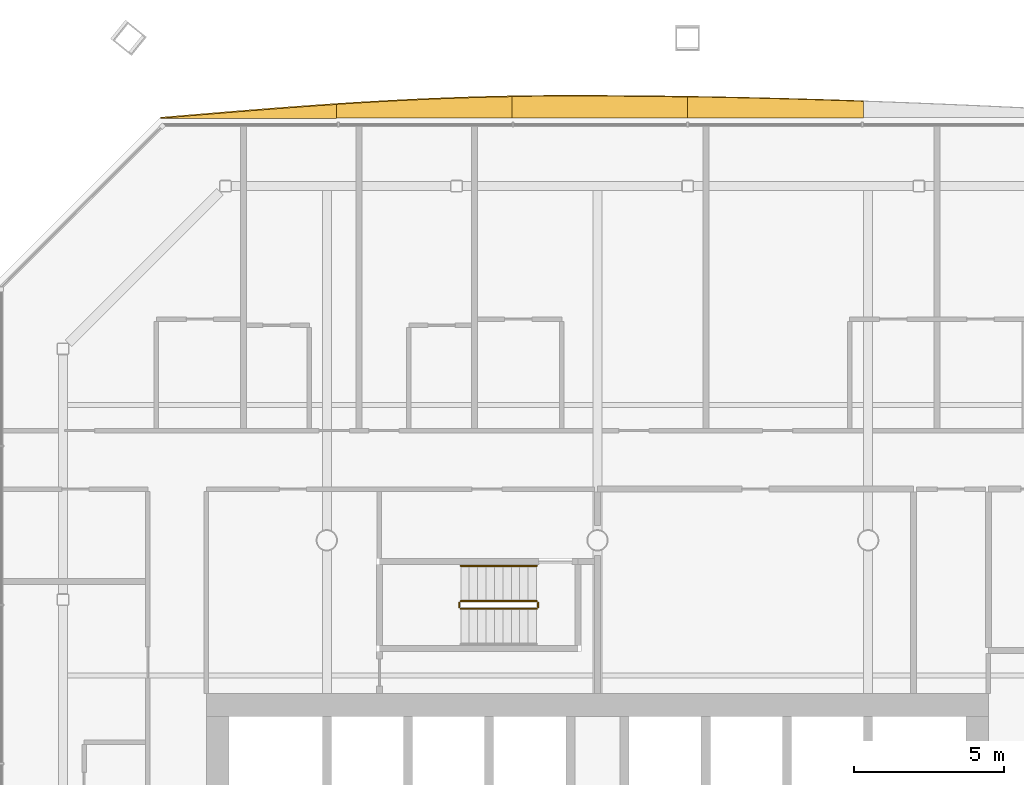
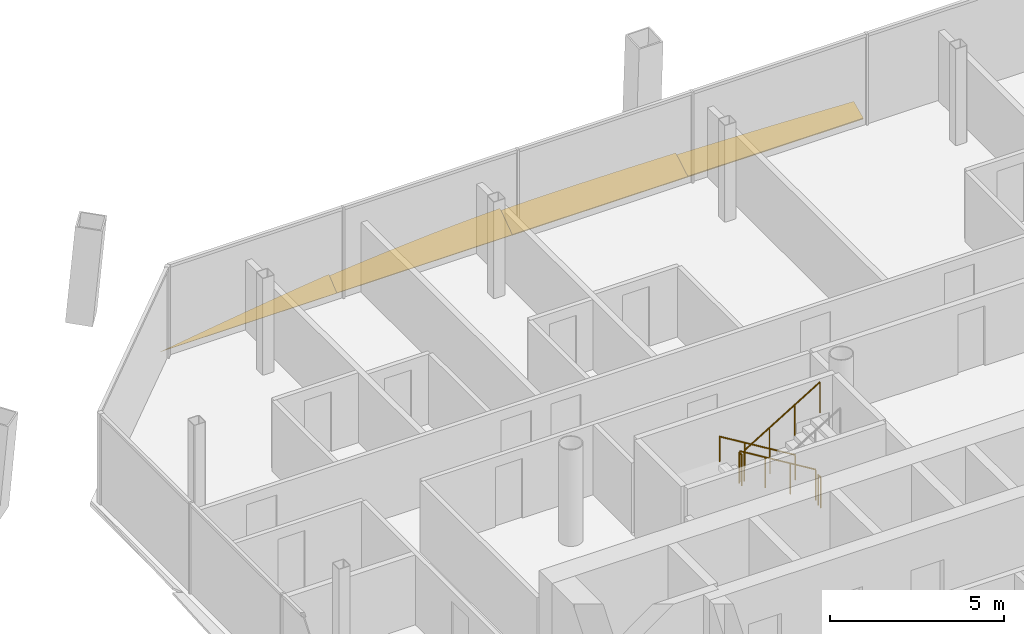
# One storey, part 20 of 21: 5 railings, 4 shading devices.
"""IFC4 building model written with IfcOpenShell, lengths in metres."""

import ifcopenshell
import ifcopenshell.guid

model = None  # the IFC model being written
_history = None  # IfcOwnerHistory: only IFC2X3 demands one
_inside = {}  # id of a spatial element -> (the spatial element, [elements in it])
_under = {}  # id of a project, library or spatial element -> (it, [spatial elements below it])
_declared = {}  # id of a project -> (the project, [libraries it declares])
_typed = {}  # id of a type object -> (the type object, [elements of that type])
_made_of = {}  # id of a material, layer set ... -> (it, [elements and type objects made of it])


def new_model(schema):
    """Start an empty IFC model of exactly this schema.

    Asked for "IFC4X3", IfcOpenShell would pick the latest addendum, in which some entities
    have other attributes; the version numbers below select the first issue.
    IFC2X3 requires an IfcOwnerHistory on every rooted entity: one is made here for all.
    """
    global model, _history
    if schema == "IFC4X3":
        model = ifcopenshell.file(schema_version=(4, 3, 0, 0))
    else:
        model = ifcopenshell.file(schema=schema)
    _inside.clear()
    _under.clear()
    _declared.clear()
    _typed.clear()
    _made_of.clear()
    _history = None
    if model.schema == "IFC2X3":
        org = make("IfcOrganization", Name="unknown")
        user = make(
            "IfcPersonAndOrganization",
            ThePerson=make("IfcPerson", FamilyName="unknown"),
            TheOrganization=org,
        )
        app = make(
            "IfcApplication",
            ApplicationDeveloper=org,
            Version="unknown",
            ApplicationFullName="unknown",
            ApplicationIdentifier="unknown",
        )
        _history = make(
            "IfcOwnerHistory",
            OwningUser=user,
            OwningApplication=app,
            ChangeAction="ADDED",
            CreationDate=0,
        )
    return model


def make(cls, **values):
    """One entity of the class cls with the attributes given. An attribute that is None is left unset."""
    return model.create_entity(
        cls, **{name: value for name, value in values.items() if value is not None}
    )


def rooted(cls, **values):
    """An entity with a GlobalId (a new one), such as an element, a storey or a relation."""
    return make(cls, GlobalId=ifcopenshell.guid.new(), OwnerHistory=_history, **values)


def si_unit(unit_type, name, prefix=None):
    """IfcSIUnit, for example si_unit("LENGTHUNIT", "METRE", prefix="MILLI")."""
    return make("IfcSIUnit", UnitType=unit_type, Prefix=prefix, Name=name)


def assignment(units):
    """IfcUnitAssignment: the units of a project."""
    return None if units is None else make("IfcUnitAssignment", Units=units)


def point(xyz):
    """IfcCartesianPoint."""
    return None if xyz is None else make("IfcCartesianPoint", Coordinates=xyz)


def direction(xyz):
    """IfcDirection."""
    return None if xyz is None else make("IfcDirection", DirectionRatios=xyz)


def frame(location, z_axis=None, x_axis=None):
    """IfcAxis2Placement3D, a coordinate frame: its origin and axes. An axis left out is left unset."""
    return make(
        "IfcAxis2Placement3D",
        Location=point(location),
        Axis=direction(z_axis),
        RefDirection=direction(x_axis),
    )


def frame_2d(location, x_axis=None):
    """IfcAxis2Placement2D, a coordinate frame in the plane: its origin and x axis."""
    return make(
        "IfcAxis2Placement2D", Location=point(location), RefDirection=direction(x_axis)
    )


def origin():
    """The frame at (0, 0, 0) with its axes left unset."""
    return frame((0.0, 0.0, 0.0))


def origin_2d():
    """The frame at (0, 0) in the plane with its x axis left unset."""
    return frame_2d((0.0, 0.0))


def place(relative_to, where):
    """IfcLocalPlacement: puts the frame where relative to a parent placement (None: the world)."""
    return make(
        "IfcLocalPlacement", PlacementRelTo=relative_to, RelativePlacement=where
    )


def context(
    kind, dimensions, precision=None, world=None, true_north=None, identifier=None
):
    """IfcGeometricRepresentationContext, for example the 3D "Model" context."""
    return make(
        "IfcGeometricRepresentationContext",
        ContextIdentifier=identifier,
        ContextType=kind,
        CoordinateSpaceDimension=dimensions,
        Precision=precision,
        WorldCoordinateSystem=world,
        TrueNorth=true_north,
    )


def subcontext(parent, identifier, kind, view, scale=None):
    """IfcGeometricRepresentationSubContext, for example "Body" below "Model"."""
    return make(
        "IfcGeometricRepresentationSubContext",
        ContextIdentifier=identifier,
        ContextType=kind,
        ParentContext=parent,
        TargetScale=scale,
        TargetView=view,
    )


def project(units=None, contexts=None):
    """IfcProject with its units and contexts."""
    return rooted(
        "IfcProject",
        Name="project",
        RepresentationContexts=contexts,
        UnitsInContext=assignment(units),
    )


def spatial(cls, under=None, at=None, **own):
    """A site, building, storey or space (cls), placed at a placement, below another one or the project."""
    s = rooted(cls, ObjectPlacement=at, **own)
    if under is not None:
        _under.setdefault(under.id(), (under, []))[1].append(s)
    return s


def polyline(points):
    """IfcPolyline through the points."""
    return make("IfcPolyline", Points=[point(p) for p in points])


def profile(cls, at=None, kind="AREA", **sizes):
    """A parametric profile (cls). Its sizes go by their IFC names, for example OverallWidth=200.0."""
    return make(cls, ProfileType=kind, Position=at, **sizes)


def circle(**sizes):
    """IfcCircleProfileDef."""
    return profile("IfcCircleProfileDef", **sizes)


def outline(outer, holes=None, kind="AREA"):
    """IfcArbitraryClosedProfileDef: a profile drawn as a closed curve; with holes, ...WithVoids."""
    if holes is None:
        return make("IfcArbitraryClosedProfileDef", ProfileType=kind, OuterCurve=outer)
    return make(
        "IfcArbitraryProfileDefWithVoids",
        ProfileType=kind,
        OuterCurve=outer,
        InnerCurves=holes,
    )


def extrude(swept, where, along, depth):
    """IfcExtrudedAreaSolid: the profile swept, set in the frame where, extruded along a direction by depth."""
    return make(
        "IfcExtrudedAreaSolid",
        SweptArea=swept,
        Position=where,
        ExtrudedDirection=direction(along),
        Depth=depth,
    )


def shape(context_of_items, identifier, shape_type, items):
    """IfcShapeRepresentation: the items that make up one representation, for example the "Body"."""
    return make(
        "IfcShapeRepresentation",
        ContextOfItems=context_of_items,
        RepresentationIdentifier=identifier,
        RepresentationType=shape_type,
        Items=items,
    )


def material(Name=None, Category=None):
    """IfcMaterial."""
    return make("IfcMaterial", Name=Name, Category=Category)


def layer(
    of_material, thickness, ventilated=None, Name=None, Category=None, Priority=None
):
    """IfcMaterialLayer: one layer of a wall or slab, of a material (None: an air gap)."""
    return make(
        "IfcMaterialLayer",
        Material=of_material,
        LayerThickness=thickness,
        IsVentilated=ventilated,
        Name=Name,
        Category=Category,
        Priority=Priority,
    )


def layer_set(layers, Name=None):
    """IfcMaterialLayerSet."""
    return make("IfcMaterialLayerSet", MaterialLayers=layers, LayerSetName=Name)


def made_of(thing, what):
    """Note that an element or type object is made of a material, layer set ...; save() writes the relation."""
    if what is not None:
        _made_of.setdefault(what.id(), (what, []))[1].append(thing)
    return thing


def type_object(cls, material=None, **own):
    """A type object (cls), such as IfcWallType, which elements share."""
    return made_of(rooted(cls, **own), material)


def element(
    cls,
    number,
    at=None,
    inside=None,
    cuts=None,
    type_object=None,
    material=None,
    context=None,
    identifier="Body",
    shape_type=None,
    held_by="IfcProductDefinitionShape",
    body=None,
    shapes=None,
    **own,
):
    """One element of the class cls, such as IfcWall. Its Tag is "e" and its number.

    at: its placement. inside: the storey or other place that contains it. cuts: it is an
    opening in that element (IfcRelVoidsElement). A single representation is given by context,
    identifier, shape_type and body (its items); several are given by shapes. held_by: the class
    of the entity that holds the representations. save() writes the other relations.
    """
    e = rooted(cls, Tag="e%d" % number, ObjectPlacement=at, **own)
    if body is not None:
        shapes = [shape(context, identifier, shape_type, body)]
    if shapes is not None:
        e.Representation = make(held_by, Representations=shapes)
    if inside is not None:
        _inside.setdefault(inside.id(), (inside, []))[1].append(e)
    if cuts is not None:
        rooted(
            "IfcRelVoidsElement", RelatingBuildingElement=cuts, RelatedOpeningElement=e
        )
    if type_object is not None:
        _typed.setdefault(type_object.id(), (type_object, []))[1].append(e)
    return made_of(e, material)


def aggregate(whole, parts):
    """IfcRelAggregates: a whole, such as a stair, and the parts it consists of."""
    return rooted("IfcRelAggregates", RelatingObject=whole, RelatedObjects=parts)


def save(model, path):
    """Write the relations noted so far, then the file.

    IfcRelAggregates (storeys below a building ...), IfcRelContainedInSpatialStructure (elements
    in a storey), IfcRelDefinesByType, IfcRelAssociatesMaterial and IfcRelDeclares: one each for
    every whole, place, type object, material and project.
    """
    for whole, parts in _under.values():
        aggregate(whole, parts)
    for where, things in _inside.values():
        rooted(
            "IfcRelContainedInSpatialStructure",
            RelatedElements=things,
            RelatingStructure=where,
        )
    for kind, things in _typed.values():
        rooted("IfcRelDefinesByType", RelatedObjects=things, RelatingType=kind)
    for what, things in _made_of.values():
        rooted("IfcRelAssociatesMaterial", RelatedObjects=things, RelatingMaterial=what)
    for by, libraries in _declared.values():
        rooted("IfcRelDeclares", RelatingContext=by, RelatedDefinitions=libraries)
    model.write(path)


model = new_model("IFC4")

# Units and contexts
model_context = context("Model", 3, precision=1e-05, world=origin(), true_north=direction((0.0, 1.0)))
body_context = subcontext(model_context, "Body", "Model", "MODEL_VIEW")
ifc_project = project(units=[si_unit("LENGTHUNIT", "METRE"), si_unit("AREAUNIT", "SQUARE_METRE"), si_unit("VOLUMEUNIT", "CUBIC_METRE"), si_unit("PLANEANGLEUNIT", "RADIAN"), si_unit("MASSUNIT", "GRAM", prefix="KILO")], contexts=[model_context])

# Site, building, storey
site_placement = place(None, origin())
site = spatial("IfcSite", under=ifc_project, at=site_placement, CompositionType="ELEMENT")
building_placement = place(site_placement, origin())
building = spatial("IfcBuilding", under=site, at=building_placement, Name="Tskaro Facet Tower", CompositionType="ELEMENT")
storey_placement = place(building_placement, frame((0.0, 0.0, 135.10009765625)))
storey = spatial("IfcBuildingStorey", under=building, at=storey_placement, Name="L32", CompositionType="ELEMENT", Elevation=135.10009765625)

# Shading devices
ifc_material_1 = material(Name="Bronze anodised aluminium 6063-T6", Category="aluminium")
ifc_layer = layer(ifc_material_1, 0.06005859375, Name="Bronze anodised aluminium 6063-T6")
ifc_layer_set = layer_set([ifc_layer], Name="Bronze anodised aluminium 6063-T6")
shading_device_type = type_object("IfcShadingDeviceType", Name="Bronze sun blade (FN1)", PredefinedType="USERDEFINED", material=ifc_layer_set)
shading_device_1_placement = place(storey_placement, frame((8.842041015625, 23.044677734375, 0.05419921875), z_axis=(1.180739e-05, -0.422718371495, 0.906261098283), x_axis=(-0.99999999993, -4.991201e-06, 1.0700578e-05)))
element("IfcShadingDevice", 1, at=shading_device_1_placement, inside=storey, type_object=shading_device_type, Name="Fin blade north 3", ObjectType="FIN", PredefinedType="USERDEFINED", context=body_context, shape_type="SweptSolid", body=[
    extrude(outline(polyline([(0.0, 0.0), (5.8420410152177675, -4.94840121944535e-21), (5.842041016898228, -0.7718780540747417), (5.111816405803172, -0.7583384310684188), (4.381591795400662, -0.742940413823083), (3.651367188127809, -0.7252414920368075), (2.921142577541165, -0.7052565154057095), (2.190673828415975, -0.6837376024139852), (1.4604492192144238, -0.6600358373048616), (0.7302246080929731, -0.6343724752293018), (2.765146475841708e-10, -0.6069539216421522), (0.0, 0.0)])), origin(), (0.0, 0.0, -1.0), 0.06005859375),
])
shading_device_2_placement = place(storey_placement, frame((3.0, 23.0400390625, 0.0517578125), z_axis=(-8.965491e-06, -0.500078208912, 0.865980245093), x_axis=(-0.99999999996, 4.483447e-06, -7.763938e-06)))
element("IfcShadingDevice", 2, at=shading_device_2_placement, inside=storey, type_object=shading_device_type, Name="Fin blade north 4", ObjectType="FIN", PredefinedType="USERDEFINED", context=body_context, shape_type="SweptSolid", body=[
    extrude(outline(polyline([(0.0, 0.0), (5.842041015390208, 4.94840121944535e-21), (5.842041015289414, -0.8240703791956464), (5.11181640671847, -0.8364251365220422), (4.381591796812425, -0.8426635598884789), (3.995849608820717, -0.8435420015762832), (3.6513671877604628, -0.8432084912115225), (2.9208984374159606, -0.8406952555545868), (2.190673827616279, -0.8362137155637591), (1.4604492193382301, -0.829096850509518), (0.7302246087908288, -0.8195888392048186), (-1.035840604326309e-09, -0.8077790132014667), (0.0, 0.0)])), origin(), (0.0, 0.0, -1.0), 0.06005859375),
])
shading_device_3_placement = place(storey_placement, frame((-2.842041015625, 23.03564453125, 0.049072265625), z_axis=(-8.61644e-06, -0.573586286816, 0.819145146785), x_axis=(-0.999999999963, 4.942272e-06, -7.058115e-06)))
element("IfcShadingDevice", 3, at=shading_device_3_placement, inside=storey, type_object=shading_device_type, Name="Fin blade north 5", ObjectType="FIN", PredefinedType="USERDEFINED", context=body_context, shape_type="SweptSolid", body=[
    extrude(outline(polyline([(0.0, 0.0), (5.842041015408134, 4.94840121944535e-21), (5.842041015965042, -0.5593817923529871), (5.111816404967793, -0.6161440336447932), (4.381347655407921, -0.6685660695629092), (3.651123047845361, -0.7161078911765566), (2.9208984375187326, -0.7585095609840764), (2.1906738278743796, -0.795491007556349), (1.4604492194288659, -0.826712208570705), (0.7302246092524098, -0.8521132131335951), (-4.1525331964671456e-10, -0.87121396320779), (0.0, 0.0)])), origin(), (0.0, 0.0, -1.0), 0.06005859375),
])
shading_device_4_placement = place(storey_placement, frame((-8.68408203125, 23.031494140625, 0.0458984375), z_axis=(-3.068393e-06, -0.642773032605, 0.7660566745), x_axis=(-0.999999999995, 1.97228e-06, -2.350563e-06)))
element("IfcShadingDevice", 4, at=shading_device_4_placement, inside=storey, type_object=shading_device_type, Name="Fin blade north 6", ObjectType="FIN", PredefinedType="USERDEFINED", context=body_context, shape_type="SweptSolid", body=[
    extrude(outline(polyline([(0.0, 0.0), (5.8417968749725, -1.2370486060730529e-21), (5.111572265763917, -0.08058599159237621), (4.381347656647689, -0.16082803061953954), (3.651123046753142, -0.24000811340567962), (2.9208984374127196, -0.3171244808005425), (2.190673828144908, -0.39199010724882943), (1.460449218468195, -0.4644179671952417), (0.7302246092335092, -0.5332192759342267), (-4.066230681493267e-11, -0.5982070079104853), (0.0, 0.0)])), origin(), (0.0, 0.0, -1.0), 0.06005859375),
])

# Railings
ifc_material_2 = material(Name="Stainless steel", Category="steel")
railing_type_1 = type_object("IfcRailingType", Name="RL-GUARD-1100", PredefinedType="GUARDRAIL", material=ifc_material_2)
railing_1_placement = place(storey_placement, frame((-2.02490234375, 6.97509765625, 0.169921875)))
element("IfcRailing", 5, at=railing_1_placement, inside=storey, type_object=railing_type_1, Name="L32 ST-3 stair guard 1", PredefinedType="GUARDRAIL", context=body_context, shape_type="SweptSolid", body=[
    extrude(circle(Radius=0.02392578125, at=origin_2d()), frame((0.0, 0.0, 1.076171875), z_axis=(-0.85478489116, 0.0, 0.518982456201), x_axis=(0.0, -1.0, 0.0)), (0.0, 0.0, 1.0), 2.9482421875),
    extrude(circle(Radius=0.02099609375, at=origin_2d()), origin(), (0.0, 0.0, 1.0), 1.052001953125),
    extrude(circle(Radius=0.02099609375, at=origin_2d()), frame((-0.840087890625, 0.0, 0.510009765625)), (0.0, 0.0, 1.0), 1.052001953125),
    extrude(circle(Radius=0.02099609375, at=origin_2d()), frame((-1.679931640625, 0.0, 1.02001953125)), (0.0, 0.0, 1.0), 1.052001953125),
    extrude(circle(Radius=0.02099609375, at=origin_2d()), frame((-2.52001953125, 0.0, 1.530029296875)), (0.0, 0.0, 1.0), 1.052001953125),
])
railing_2_placement = place(storey_placement, frame((-4.594970703125, 6.925048828125, 1.699951171875)))
element("IfcRailing", 6, at=railing_2_placement, inside=storey, type_object=railing_type_1, Name="L32 ST-3 stair guard 2", PredefinedType="GUARDRAIL", context=body_context, shape_type="SweptSolid", body=[
    extrude(circle(Radius=0.02392578125, at=origin_2d()), frame((0.0, 0.0, 1.076171875), z_axis=(0.0, -1.0, 0.0), x_axis=(1.0, 0.0, 0.0)), (0.0, 0.0, 1.0), 0.150146484375),
    extrude(circle(Radius=0.02099609375, at=origin_2d()), origin(), (0.0, 0.0, 1.0), 1.052001953125),
    extrude(circle(Radius=0.02099609375, at=origin_2d()), frame((0.0, -0.150146484375, 0.0)), (0.0, 0.0, 1.0), 1.052001953125),
])
railing_3_placement = place(storey_placement, frame((-4.544921875, 6.72509765625, 1.869873046875)))
element("IfcRailing", 7, at=railing_3_placement, inside=storey, type_object=railing_type_1, Name="L32 ST-3 stair guard 3", PredefinedType="GUARDRAIL", context=body_context, shape_type="SweptSolid", body=[
    extrude(circle(Radius=0.02392578125, at=origin_2d()), frame((0.0, 0.0, 1.076171875), z_axis=(0.85478489116, 0.0, 0.518982456201), x_axis=(0.0, 1.0, 0.0)), (0.0, 0.0, 1.0), 2.9482421875),
    extrude(circle(Radius=0.02099609375, at=origin_2d()), origin(), (0.0, 0.0, 1.0), 1.052001953125),
    extrude(circle(Radius=0.02099609375, at=origin_2d()), frame((0.840087890625, 0.0, 0.510009765625)), (0.0, 0.0, 1.0), 1.052001953125),
    extrude(circle(Radius=0.02099609375, at=origin_2d()), frame((1.679931640625, 0.0, 1.02001953125)), (0.0, 0.0, 1.0), 1.052001953125),
    extrude(circle(Radius=0.02099609375, at=origin_2d()), frame((2.52001953125, 0.0, 1.530029296875)), (0.0, 0.0, 1.0), 1.052001953125),
])
railing_4_placement = place(storey_placement, frame((-1.97509765625, 6.925048828125, 0.0)))
element("IfcRailing", 8, at=railing_4_placement, inside=storey, type_object=railing_type_1, Name="L32 ST-3 stair guard 4", PredefinedType="GUARDRAIL", context=body_context, shape_type="SweptSolid", body=[
    extrude(circle(Radius=0.02392578125, at=origin_2d()), frame((0.0, 0.0, 1.076171875), z_axis=(0.0, -1.0, 0.0), x_axis=(1.0, 0.0, 0.0)), (0.0, 0.0, 1.0), 0.150146484375),
    extrude(circle(Radius=0.02099609375, at=origin_2d()), origin(), (0.0, 0.0, 1.0), 1.052001953125),
    extrude(circle(Radius=0.02099609375, at=origin_2d()), frame((0.0, -0.150146484375, 0.0)), (0.0, 0.0, 1.0), 1.052001953125),
])
railing_type_2 = type_object("IfcRailingType", Name="RL-HANDRAIL-900", PredefinedType="HANDRAIL", material=ifc_material_2)
railing_5_placement = place(storey_placement, frame((-2.02490234375, 8.14990234375, 0.169921875)))
element("IfcRailing", 9, at=railing_5_placement, inside=storey, type_object=railing_type_2, Name="L32 ST-3 stair handrail 1", PredefinedType="HANDRAIL", context=body_context, shape_type="SweptSolid", body=[
    extrude(circle(Radius=0.02392578125, at=origin_2d()), frame((0.0, 0.0, 0.8759765625), z_axis=(-0.85478489116, 0.0, 0.518982456201), x_axis=(0.0, -1.0, 0.0)), (0.0, 0.0, 1.0), 2.9482421875),
    extrude(circle(Radius=0.02099609375, at=origin_2d()), origin(), (0.0, 0.0, 1.0), 0.851806640625),
    extrude(circle(Radius=0.02099609375, at=origin_2d()), frame((-0.840087890625, 0.0, 0.510009765625)), (0.0, 0.0, 1.0), 0.851806640625),
    extrude(circle(Radius=0.02099609375, at=origin_2d()), frame((-1.679931640625, 0.0, 1.02001953125)), (0.0, 0.0, 1.0), 0.851806640625),
    extrude(circle(Radius=0.02099609375, at=origin_2d()), frame((-2.52001953125, 0.0, 1.530029296875)), (0.0, 0.0, 1.0), 0.851806640625),
])

save(model, "model.ifc")
